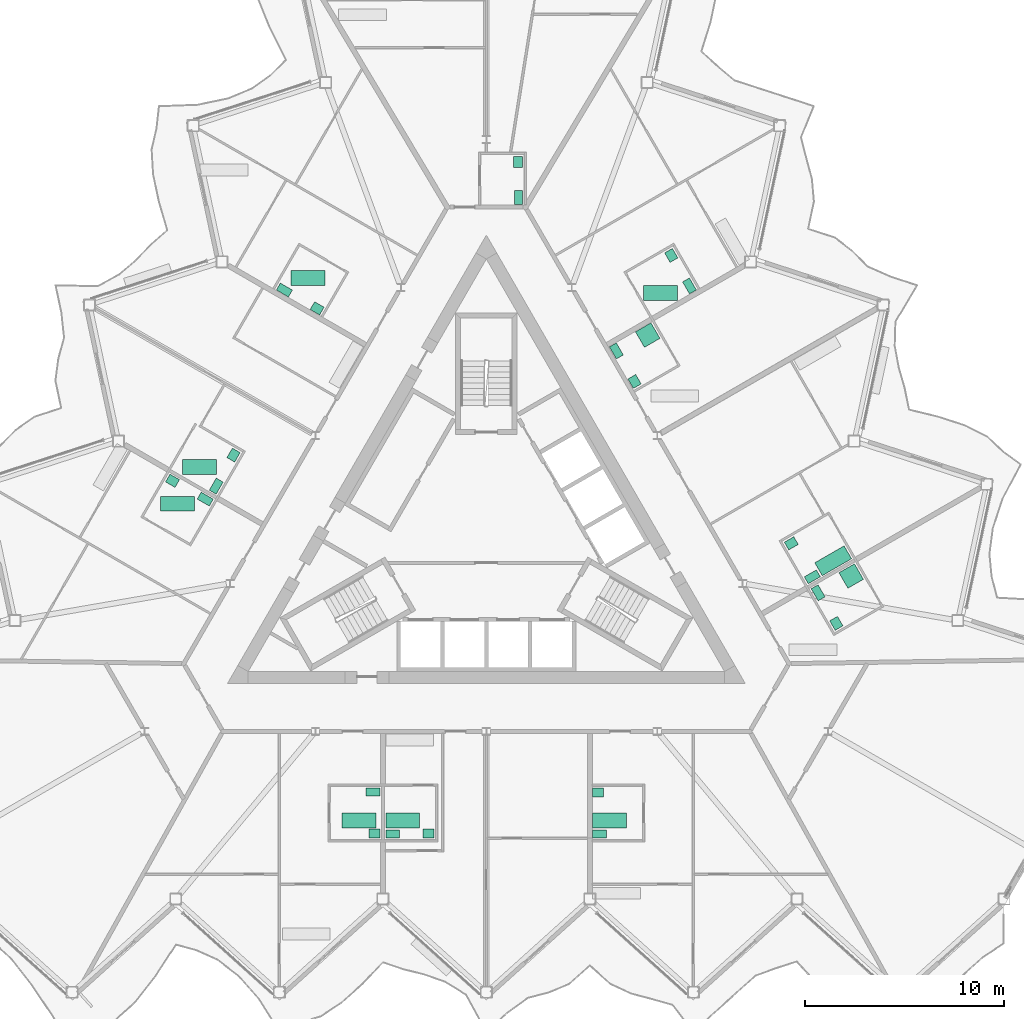
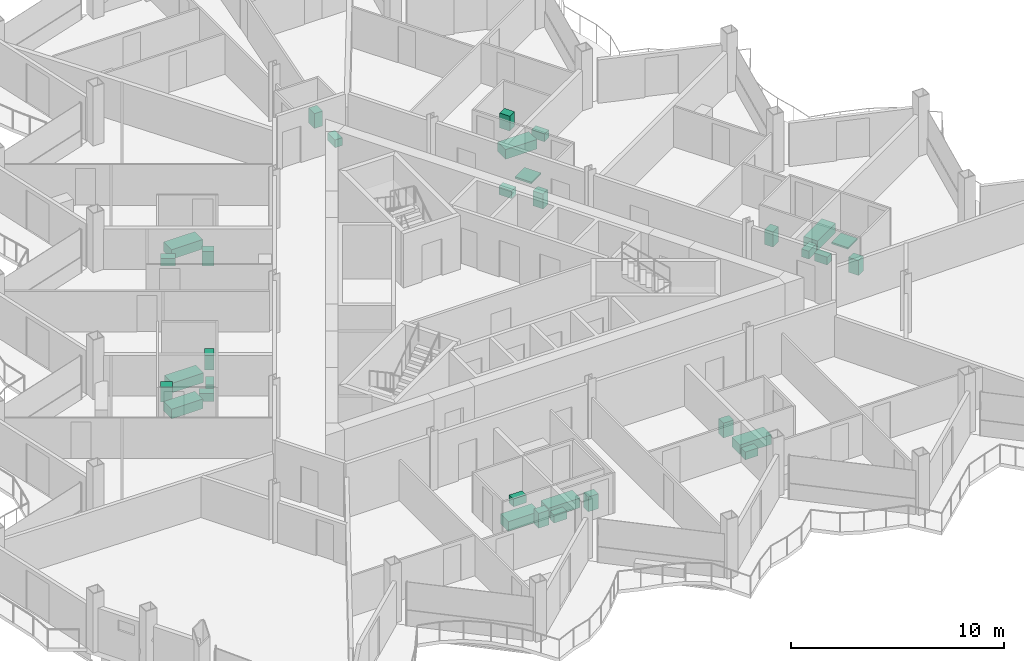
# One storey, part 25 of 26: 32 sanitary terminals.
"""IFC4 building model written with IfcOpenShell, lengths in metres."""

from ifc_helpers import new_model, si_unit, direction, frame, origin, origin_2d, place, context, subcontext, project, spatial, rectangle, extrude, material, type_object, element, save


model = new_model("IFC4")

# Units and contexts
model_context = context("Model", 3, precision=1e-05, world=origin(), true_north=direction((0.0, 1.0)))
body_context = subcontext(model_context, "Body", "Model", "MODEL_VIEW")
ifc_project = project(units=[si_unit("LENGTHUNIT", "METRE"), si_unit("AREAUNIT", "SQUARE_METRE"), si_unit("VOLUMEUNIT", "CUBIC_METRE"), si_unit("PLANEANGLEUNIT", "RADIAN"), si_unit("MASSUNIT", "GRAM", prefix="KILO")], contexts=[model_context])

# Site, building, storey
site_placement = place(None, origin())
site = spatial("IfcSite", under=ifc_project, at=site_placement, CompositionType="ELEMENT")
building_placement = place(site_placement, origin())
building = spatial("IfcBuilding", under=site, at=building_placement, Name="Cormorant Prow Tower", CompositionType="ELEMENT")
storey_placement = place(building_placement, frame((0.0, 0.0, 329.0)))
storey = spatial("IfcBuildingStorey", under=building, at=storey_placement, Name="L73", CompositionType="ELEMENT", Elevation=329.0)

# Sanitary terminals
ifc_material_1 = material(Name="Vitreous china")
sanitary_terminal_type_1 = type_object("IfcSanitaryTerminalType", Name="Bath 1700x750", PredefinedType="BATH", material=ifc_material_1)
for number, where, z_axis, x_axis, name in (
    (1, (-6.399658203125, -14.385498046875, 0.0), (0.0, 0.0, 1.0), (1.0, 0.0, 0.0), "Bath"),
    (2, (-4.19970703125, -14.385498046875, 0.0), (0.0, 0.0, 1.0), (1.0, 0.0, 0.0), "Bath"),
    (3, (6.189697265625, -14.385498046875, 0.0), (0.0, 0.0, 1.0), (1.0, 0.0, 0.0), "Bath"),
    (4, (17.41455078125, -1.341796875, 0.0), (0.0, 0.0, 1.0), (-0.866025403784, -0.5, 0.0), "Bath"),
    (5, (8.7490234375, 12.106201171875, 0.0), (0.0, 0.0, 1.0), (1.0, 0.0, 0.0), "Bath"),
    (6, (-8.964599609375, 12.856201171875, 0.0), (0.0, 0.0, 1.0), (1.0, 0.0, 0.0), "Bath"),
    (7, (-14.4091796875, 3.35888671875, 0.0), (0.0, 0.0, 1.0), (1.0, 0.0, 0.0), "Bath"),
    (8, (-15.50927734375, 1.5205078125, 0.0), (0.0, 0.0, 1.0), (1.0, 0.0, 0.0), "Bath"),
):
    element("IfcSanitaryTerminal", number, at=place(storey_placement, frame(where, z_axis=z_axis, x_axis=x_axis)), inside=storey, type_object=sanitary_terminal_type_1, Name=name, PredefinedType="BATH", context=body_context, shape_type="SweptSolid", body=[
        extrude(rectangle(XDim=1.699951171875, YDim=0.75, at=origin_2d()), origin(), (0.0, 0.0, 1.0), 0.550048828125),
    ])
ifc_material_2 = material(Name="Vitreous china")
sanitary_terminal_type_2 = type_object("IfcSanitaryTerminalType", Name="Shower tray 900x900", PredefinedType="SHOWER", material=ifc_material_2)
for number, where, z_axis, x_axis, name in (
    (9, (18.318603515625, -2.107421875, 0.0), (0.0, 0.0, 1.0), (0.5, -0.866025403784, 0.0), "Shower tray"),
    (10, (8.1015625, 9.98876953125, 0.0), (0.0, 0.0, 1.0), (0.5, -0.866025403784, 0.0), "Shower tray"),
):
    element("IfcSanitaryTerminal", number, at=place(storey_placement, frame(where, z_axis=z_axis, x_axis=x_axis)), inside=storey, type_object=sanitary_terminal_type_2, Name=name, PredefinedType="SHOWER", context=body_context, shape_type="SweptSolid", body=[
        extrude(rectangle(XDim=0.89990234375, YDim=0.89990234375, at=origin_2d()), origin(), (0.0, 0.0, 1.0), 0.10009765625),
    ])
ifc_material_3 = material(Name="Vitreous china")
sanitary_terminal_type_3 = type_object("IfcSanitaryTerminalType", Name="Wash basin 550x450", PredefinedType="WASHHANDBASIN", material=ifc_material_3)
for number, where, z_axis, x_axis, name in (
    (11, (-5.61474609375, -15.03564453125, 0.0), (0.0, 0.0, 1.0), (-1.0, 0.0, 0.0), "Wash basin"),
    (12, (-2.914794921875, -15.03564453125, 0.0), (0.0, 0.0, 1.0), (-1.0, 0.0, 0.0), "Wash basin"),
    (13, (5.61474609375, -12.9755859375, 0.0), (0.0, 0.0, 1.0), (1.0, 0.0, 0.0), "Wash basin"),
    (14, (17.572021484375, -4.484375, 0.0), (0.0, 0.0, 1.0), (-0.5, 0.866025403784, 0.0), "Wash basin"),
    (15, (15.310302734375, -0.466796875, 0.0), (0.0, 0.0, 1.0), (0.866025403784, 0.5, 0.0), "Wash basin"),
    (16, (7.44140625, 7.662109375, 0.0), (0.0, 0.0, 1.0), (-0.5, 0.866025403784, 0.0), "Wash basin"),
    (17, (9.28369140625, 13.9912109375, 0.0), (0.0, 0.0, 1.0), (0.5, -0.866025403784, 0.0), "Wash basin"),
    (18, (1.593017578125, 18.691162109375, 0.0), (0.0, 0.0, 1.0), (0.0, -1.0, 0.0), "Wash basin"),
    (19, (-8.498046875, 11.33203125, 0.0), (0.0, 0.0, 1.0), (-0.866025403784, 0.5, 0.0), "Wash basin"),
    (20, (-12.694580078125, 3.963623046875, 0.0), (0.0, 0.0, 1.0), (-0.5, -0.866025403784, 0.0), "Wash basin"),
    (21, (-15.76025390625, 2.673583984375, 0.0), (0.0, 0.0, 1.0), (0.866025403784, -0.5, 0.0), "Wash basin"),
):
    element("IfcSanitaryTerminal", number, at=place(storey_placement, frame(where, z_axis=z_axis, x_axis=x_axis)), inside=storey, type_object=sanitary_terminal_type_3, Name=name, PredefinedType="WASHHANDBASIN", context=body_context, shape_type="SweptSolid", body=[
        extrude(rectangle(XDim=0.550048828125, YDim=0.449951171875, at=origin_2d()), origin(), (0.0, 0.0, 1.0), 0.85009765625),
    ])
ifc_material_4 = material(Name="Vitreous china")
sanitary_terminal_type_4 = type_object("IfcSanitaryTerminalType", Name="Water closet 400x700", PredefinedType="WCSEAT", material=ifc_material_4)
for number, where, z_axis, x_axis, name in (
    (22, (-5.689697265625, -12.95068359375, 0.0), (0.0, 0.0, 1.0), (0.0, -1.0, 0.0), "Water closet"),
    (23, (-4.69970703125, -15.060546875, 0.0), (0.0, 0.0, 1.0), (0.0, 1.0, 0.0), "Water closet"),
    (24, (5.689697265625, -15.060546875, 0.0), (0.0, 0.0, 1.0), (0.0, 1.0, 0.0), "Water closet"),
    (25, (16.65771484375, -2.950927734375, 0.0), (0.0, 0.0, 1.0), (0.866025403784, 0.5, 0.0), "Water closet"),
    (26, (16.36767578125, -2.1484375, 0.0), (0.0, 0.0, 1.0), (-0.5, 0.866025403784, 0.0), "Water closet"),
    (27, (6.52734375, 9.1953125, 0.0), (0.0, 0.0, 1.0), (0.866025403784, 0.5, 0.0), "Water closet"),
    (28, (10.197998046875, 12.457763671875, 0.0), (0.0, 0.0, 1.0), (-0.866025403784, -0.5, 0.0), "Water closet"),
    (29, (1.617919921875, 16.906005859375, 0.0), (0.0, 0.0, 1.0), (-1.0, 0.0, 0.0), "Water closet"),
    (30, (-10.14306640625, 12.252685546875, 0.0), (0.0, 0.0, 1.0), (0.5, 0.866025403784, 0.0), "Water closet"),
    (31, (-13.5654296875, 2.4052734375, 0.0), (0.0, 0.0, 1.0), (-0.866025403784, 0.5, 0.0), "Water closet"),
    (32, (-14.115234375, 1.752685546875, 0.0), (0.0, 0.0, 1.0), (-0.5, -0.866025403784, 0.0), "Water closet"),
):
    element("IfcSanitaryTerminal", number, at=place(storey_placement, frame(where, z_axis=z_axis, x_axis=x_axis)), inside=storey, type_object=sanitary_terminal_type_4, Name=name, PredefinedType="WCSEAT", context=body_context, shape_type="SweptSolid", body=[
        extrude(rectangle(XDim=0.39990234375, YDim=0.699951171875, at=origin_2d()), origin(), (0.0, 0.0, 1.0), 0.449951171875),
    ])

save(model, "model.ifc")
